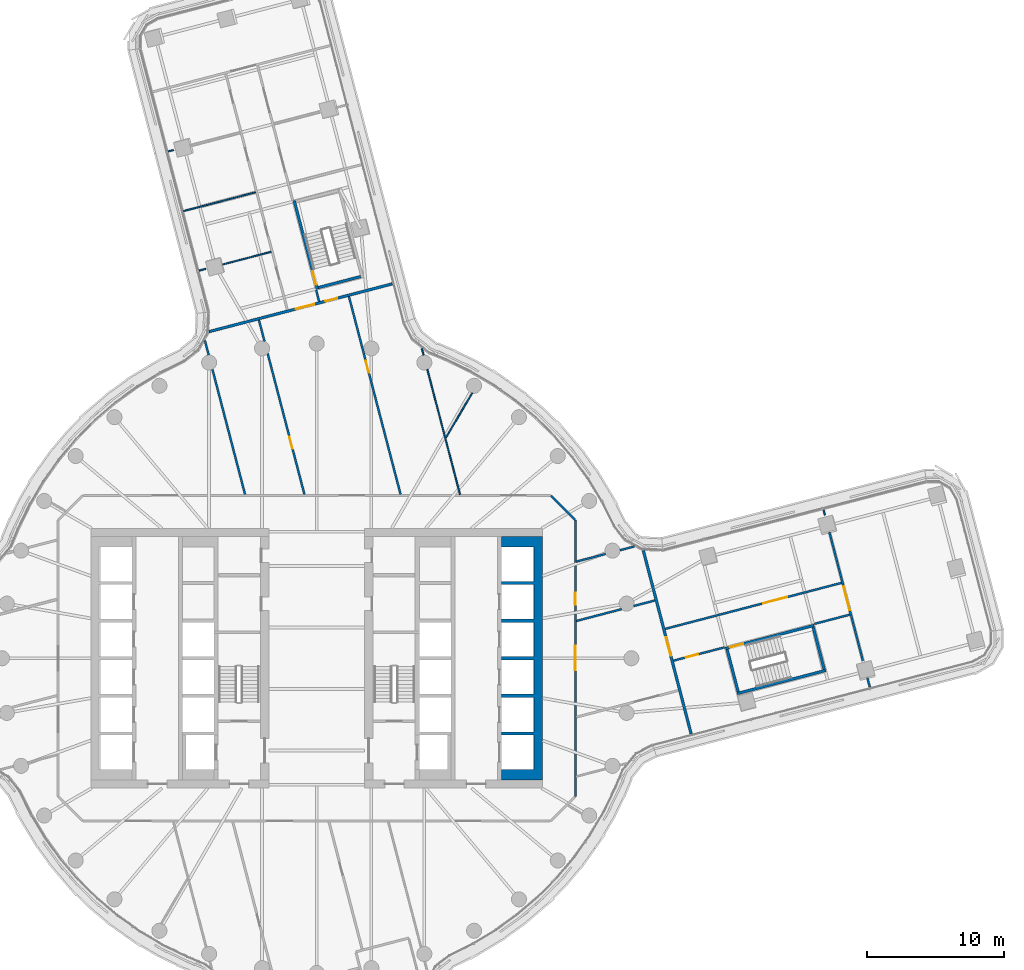
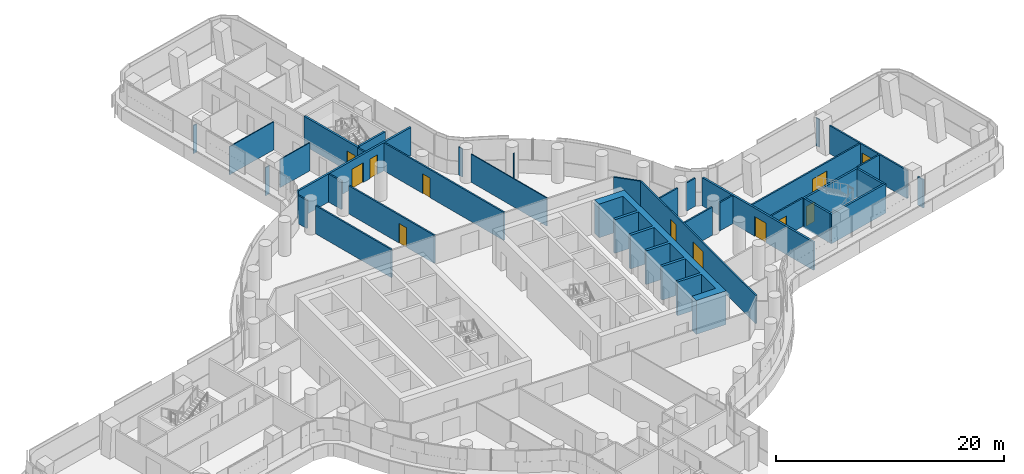
# One storey, part 21 of 30: 34 walls, 12 doors, 12 openings.
"""IFC4 building model written with IfcOpenShell, lengths in metres."""

from ifc_helpers import new_model, si_unit, direction, frame, frame_2d, origin, place, context, subcontext, project, spatial, polyline, rectangle, outline, extrude, material, layer, layer_set, type_object, element, fill, save


model = new_model("IFC4")

# Units and contexts
model_context = context("Model", 3, precision=1e-05, world=origin(), true_north=direction((0.0, 1.0)))
body_context = subcontext(model_context, "Body", "Model", "MODEL_VIEW")
ifc_project = project(units=[si_unit("LENGTHUNIT", "METRE"), si_unit("AREAUNIT", "SQUARE_METRE"), si_unit("VOLUMEUNIT", "CUBIC_METRE"), si_unit("PLANEANGLEUNIT", "RADIAN"), si_unit("MASSUNIT", "GRAM", prefix="KILO")], contexts=[model_context])

# Site, building, storey
site_placement = place(None, origin())
site = spatial("IfcSite", under=ifc_project, at=site_placement, CompositionType="ELEMENT")
building_placement = place(site_placement, origin())
building = spatial("IfcBuilding", under=site, at=building_placement, Name="Tamarind Cross Interchange Tower", CompositionType="ELEMENT")
storey_placement = place(building_placement, frame((0.0, 0.0, 87.25)))
storey = spatial("IfcBuildingStorey", under=building, at=storey_placement, Name="L20", CompositionType="ELEMENT", Elevation=87.25)

# Walls
ifc_material_1 = material(Name="Concrete C70", Category="concrete")
ifc_layer_1 = layer(ifc_material_1, 0.60009765625)
ifc_layer_set_1 = layer_set([ifc_layer_1], Name="Concrete C70")
wall_type_1 = type_object("IfcWallType", Name="Core wall 600 mm Concrete C70", PredefinedType="SHEAR", material=ifc_layer_set_1)
wall_1_placement = place(storey_placement, origin())
element("IfcWall", 1, at=wall_1_placement, inside=storey, type_object=wall_type_1, Name="Core wall CWL-L20-E-A", PredefinedType="SHEAR", context=body_context, shape_type="SweptSolid", body=[
    extrude(outline(polyline([(13.5, -8.89990234375), (15.89990234375, -8.89990234375), (16.5, -8.89990234375), (16.5, 8.89990234375), (15.89990234375, 8.89990234375), (13.5, 8.89990234375), (13.5, 8.125), (15.89990234375, 8.125), (15.89990234375, 5.625), (13.5, 5.625), (13.5, 5.375), (15.89990234375, 5.375), (15.89990234375, 2.875), (13.5, 2.875), (13.5, 2.625), (15.89990234375, 2.625), (15.89990234375, 0.125), (13.5, 0.125), (13.5, -0.125), (15.89990234375, -0.125), (15.89990234375, -2.625), (13.5, -2.625), (13.5, -2.875), (15.89990234375, -2.875), (15.89990234375, -5.375), (13.5, -5.375), (13.5, -5.625), (15.89990234375, -5.625), (15.89990234375, -8.125), (13.5, -8.125), (13.5, -8.89990234375)])), origin(), (0.0, 0.0, 1.0), 3.610107421875),
])
ifc_material_2 = material(Name="Gypsum board partition on steel studs", Category="steel")
ifc_layer_2 = layer(ifc_material_2, 0.10009765625)
ifc_layer_set_2 = layer_set([ifc_layer_2], Name="Gypsum board partition on steel studs")
wall_type_2 = type_object("IfcWallType", Name="Partition 100 mm EI 90", PredefinedType="PARTITIONING", material=ifc_layer_set_2)
wall_2_placement = place(storey_placement, frame((7.688232421875, 22.637939453125, 0.0), z_axis=(0.0, 0.0, 1.0), x_axis=(0.252843213146, -0.967507265898, 0.0)))
element("IfcWall", 2, at=wall_2_placement, inside=storey, type_object=wall_type_2, Name="Partition L20-025", PredefinedType="PARTITIONING", context=body_context, shape_type="SweptSolid", body=[
    extrude(rectangle(XDim=0.495361328125, YDim=0.10009765625, at=frame_2d((0.24755859375, 0.0))), origin(), (0.0, 0.0, 1.0), 3.010009765625),
])
wall_3_placement = place(storey_placement, frame((8.086669921875, 21.11181640625, 0.0), z_axis=(0.0, 0.0, 1.0), x_axis=(0.252552298943, -0.967583245152, 0.0)))
element("IfcWall", 3, at=wall_3_placement, inside=storey, type_object=wall_type_2, Name="Partition L20-026", PredefinedType="PARTITIONING", context=body_context, shape_type="SweptSolid", body=[
    extrude(rectangle(XDim=9.450439453125, YDim=0.10009765625, at=frame_2d((4.72509765625, 0.0))), origin(), (0.0, 0.0, 1.0), 3.010009765625),
])
for number, where, z_axis, x_axis, name in (
    (4, (37.045166015625, 10.860595703125, 0.0), (0.0, 0.0, 1.0), (0.25232360321, -0.967642908961, 0.0), "Partition L20-028"),
    (5, (-10.860595703125, 37.045166015625, 0.0), (0.0, 0.0, 1.0), (0.967642908961, 0.25232360321, 0.0), "Partition L20-048"),
):
    element("IfcWall", number, at=place(storey_placement, frame(where, z_axis=z_axis, x_axis=x_axis)), inside=storey, type_object=wall_type_2, Name=name, PredefinedType="PARTITIONING", context=body_context, shape_type="SweptSolid", body=[
        extrude(rectangle(XDim=0.404541015625, YDim=0.10009765625, at=frame_2d((0.2021484375, 0.0))), origin(), (0.0, 0.0, 1.0), 3.010009765625),
    ])
wall_4_placement = place(storey_placement, frame((-9.729736328125, 32.689208984375, 0.0), z_axis=(0.0, 0.0, 1.0), x_axis=(0.967591509926, 0.252520632662, 0.0)))
element("IfcWall", 6, at=wall_4_placement, inside=storey, type_object=wall_type_2, Name="Partition L20-052", PredefinedType="PARTITIONING", context=body_context, shape_type="SweptSolid", body=[
    extrude(rectangle(XDim=5.435546875, YDim=0.10009765625, at=frame_2d((2.7177734375, 0.0))), origin(), (0.0, 0.0, 1.0), 3.010009765625),
])
wall_5_placement = place(storey_placement, frame((-8.59912109375, 28.334228515625, 0.0), z_axis=(0.0, 0.0, 1.0), x_axis=(0.967612066757, 0.252441851256, 0.0)))
element("IfcWall", 7, at=wall_5_placement, inside=storey, type_object=wall_type_2, Name="Partition L20-054", PredefinedType="PARTITIONING", context=body_context, shape_type="SweptSolid", body=[
    extrude(rectangle(XDim=0.498046875, YDim=0.10009765625, at=frame_2d((0.2490234375, 0.0))), origin(), (0.0, 0.0, 1.0), 3.010009765625),
])
wall_6_placement = place(storey_placement, frame((-6.86474609375, 28.78662109375, 0.0), z_axis=(0.0, 0.0, 1.0), x_axis=(0.967603769399, 0.25247365297, 0.0)))
element("IfcWall", 8, at=wall_6_placement, inside=storey, type_object=wall_type_2, Name="Partition L20-055", PredefinedType="PARTITIONING", context=body_context, shape_type="SweptSolid", body=[
    extrude(rectangle(XDim=3.6484375, YDim=0.10009765625, at=frame_2d((1.82421875, 0.0))), origin(), (0.0, 0.0, 1.0), 3.010009765625),
])
wall_7_placement = place(storey_placement, frame((9.457275390625, 16.137451171875, 0.0), z_axis=(0.0, 0.0, 1.0), x_axis=(0.505643154542, 0.862742719624, 0.0)))
element("IfcWall", 9, at=wall_7_placement, inside=storey, type_object=wall_type_2, Name="Partition L20-080", PredefinedType="PARTITIONING", context=body_context, shape_type="SweptSolid", body=[
    extrude(rectangle(XDim=3.775146484375, YDim=0.10009765625, at=frame_2d((1.8876953125, 0.0))), origin(), (0.0, 0.0, 1.0), 3.010009765625),
])
ifc_layer_3 = layer(ifc_material_2, 0.14990234375)
ifc_layer_set_3 = layer_set([ifc_layer_3], Name="Gypsum board partition on steel studs")
wall_type_3 = type_object("IfcWallType", Name="Partition 150 mm EI 120", PredefinedType="PARTITIONING", material=ifc_layer_set_3)
wall_8_placement = place(storey_placement, frame((-8.173828125, 23.22412109375, 0.0), z_axis=(0.0, 0.0, 1.0), x_axis=(0.25264882797, -0.967558044628, 0.0)))
element("IfcWall", 10, at=wall_8_placement, inside=storey, type_object=wall_type_3, Name="Partition L20-007", PredefinedType="PARTITIONING", context=body_context, shape_type="SweptSolid", body=[
    extrude(rectangle(XDim=1.0947265625, YDim=0.14990234375, at=frame_2d((0.54736328125, 0.0))), origin(), (0.0, 0.0, 1.0), 3.010009765625),
])
wall_9_placement = place(storey_placement, frame((-7.624267578125, 21.117919921875, 0.0), z_axis=(0.0, 0.0, 1.0), x_axis=(0.252471343735, -0.967604371937, 0.0)))
element("IfcWall", 11, at=wall_9_placement, inside=storey, type_object=wall_type_3, Name="Partition L20-008", PredefinedType="PARTITIONING", context=body_context, shape_type="SweptSolid", body=[
    extrude(rectangle(XDim=9.44677734375, YDim=0.14990234375, at=frame_2d((4.723388671875, 0.0))), origin(), (0.0, 0.0, 1.0), 3.010009765625),
])
wall_10_placement = place(storey_placement, frame((-0.041259765625, 26.908447265625, 0.0), z_axis=(0.0, 0.0, 1.0), x_axis=(0.252549103469, -0.967584079208, 0.0)))
element("IfcWall", 12, at=wall_10_placement, inside=storey, type_object=wall_type_3, Name="Partition L20-012", PredefinedType="PARTITIONING", context=body_context, shape_type="SweptSolid", body=[
    extrude(rectangle(XDim=0.859375, YDim=0.14990234375, at=frame_2d((0.4296875, 0.0))), origin(), (0.0, 0.0, 1.0), 3.010009765625),
])
wall_11_placement = place(storey_placement, frame((-4.223876953125, 24.72119140625, 0.0), z_axis=(0.0, 0.0, 1.0), x_axis=(0.252582358836, -0.967575398615, 0.0)))
element("IfcWall", 13, at=wall_11_placement, inside=storey, type_object=wall_type_3, Name="Partition L20-013", PredefinedType="PARTITIONING", context=body_context, shape_type="SweptSolid", body=[
    extrude(rectangle(XDim=1.6103515625, YDim=0.14990234375, at=frame_2d((0.80517578125, 0.0))), origin(), (0.0, 0.0, 1.0), 3.010009765625),
])

# Wall, opening, door
wall_12_placement = place(storey_placement, frame((-3.58935546875, 22.290283203125, 0.0), z_axis=(0.0, 0.0, 1.0), x_axis=(0.252493695857, -0.967598539453, 0.0)))
wall_12 = element("IfcWall", 14, at=wall_12_placement, inside=storey, type_object=wall_type_3, Name="Partition L20-014", PredefinedType="PARTITIONING", context=body_context, shape_type="SweptSolid", body=[
    extrude(rectangle(XDim=10.658447265625, YDim=0.14990234375, at=frame_2d((5.3291015625, 0.0))), origin(), (0.0, 0.0, 1.0), 3.010009765625),
])
opening_1_placement = place(wall_12_placement, frame((6.300048828125, 0.0, 0.0)))
opening_1 = element("IfcOpeningElement", 15, at=opening_1_placement, cuts=wall_12, Name="Opening D10", PredefinedType="OPENING", context=body_context, shape_type="SweptSolid", body=[
    extrude(rectangle(XDim=0.89990234375, YDim=2.10009765625, at=frame_2d((0.449951171875, 1.050048828125))), frame((0.0, 0.0849609375, 0.0), z_axis=(0.0, -1.0, 0.0), x_axis=(1.0, 0.0, 0.0)), (0.0, 0.0, 1.0), 0.169921875),
])
ifc_material_3 = material(Name="Fire-resisting door set")
door_type_1 = type_object("IfcDoorType", Name="Interior door 900 x 2100 FD60S", OperationType="SINGLE_SWING_LEFT", PredefinedType="DOOR", material=ifc_material_3)
door_1_placement = place(opening_1_placement, frame((0.89990234375, 0.0, 0.0), z_axis=(0.0, 0.0, 1.0), x_axis=(-1.0, 0.0, 0.0)))
door_1 = element("IfcDoor", 16, at=door_1_placement, inside=storey, type_object=door_type_1, Name="Door D10", OperationType="SINGLE_SWING_RIGHT", OverallHeight=2.10009765625, OverallWidth=0.89990234375, PredefinedType="DOOR", context=body_context, shape_type="SweptSolid", body=[
    extrude(rectangle(XDim=0.89990234375, YDim=2.10009765625, at=frame_2d((0.449951171875, 1.050048828125))), frame((0.0, 0.02490234375, 0.0), z_axis=(0.0, -1.0, 0.0), x_axis=(1.0, 0.0, 0.0)), (0.0, 0.0, 1.0), 0.050048828125),
])
fill(opening_1, door_1)

wall_13_placement = place(storey_placement, frame((2.3564453125, 26.433349609375, 0.0), z_axis=(0.0, 0.0, 1.0), x_axis=(0.252565578954, -0.967579778792, 0.0)))
wall_13 = element("IfcWall", 17, at=wall_13_placement, inside=storey, type_object=wall_type_3, Name="Partition L20-020", PredefinedType="PARTITIONING", context=body_context, shape_type="SweptSolid", body=[
    extrude(rectangle(XDim=14.9404296875, YDim=0.14990234375, at=frame_2d((7.47021484375, 0.0))), origin(), (0.0, 0.0, 1.0), 3.010009765625),
])
opening_2_placement = place(wall_13_placement, frame((4.844970703125, 0.0, 0.0)))
opening_2 = element("IfcOpeningElement", 18, at=opening_2_placement, cuts=wall_13, Name="Opening D17", PredefinedType="OPENING", context=body_context, shape_type="SweptSolid", body=[
    extrude(rectangle(XDim=0.89990234375, YDim=2.10009765625, at=frame_2d((0.449951171875, 1.050048828125))), frame((0.0, 0.0849609375, 0.0), z_axis=(0.0, -1.0, 0.0), x_axis=(1.0, 0.0, 0.0)), (0.0, 0.0, 1.0), 0.169921875),
])
door_2_placement = place(opening_2_placement, origin())
door_2 = element("IfcDoor", 19, at=door_2_placement, inside=storey, type_object=door_type_1, Name="Door D17", OperationType="SINGLE_SWING_RIGHT", OverallHeight=2.10009765625, OverallWidth=0.89990234375, PredefinedType="DOOR", context=body_context, shape_type="SweptSolid", body=[
    extrude(rectangle(XDim=0.89990234375, YDim=2.10009765625, at=frame_2d((0.449951171875, 1.050048828125))), frame((0.0, 0.02490234375, 0.0), z_axis=(0.0, -1.0, 0.0), x_axis=(1.0, 0.0, 0.0)), (0.0, 0.0, 1.0), 0.050048828125),
])
fill(opening_2, door_2)

wall_14_placement = place(storey_placement, frame((37.47412109375, 9.216796875, 0.0), z_axis=(0.0, 0.0, 1.0), x_axis=(0.252454665167, -0.967608723625, 0.0)))
wall_14 = element("IfcWall", 20, at=wall_14_placement, inside=storey, type_object=wall_type_3, Name="Partition L20-029", PredefinedType="PARTITIONING", context=body_context, shape_type="SweptSolid", body=[
    extrude(rectangle(XDim=9.70556640625, YDim=0.14990234375, at=frame_2d((4.852783203125, 0.0))), origin(), (0.0, 0.0, 1.0), 3.010009765625),
])
opening_3_placement = place(wall_14_placement, frame((4.110107421875, 0.0, 0.0)))
opening_3 = element("IfcOpeningElement", 21, at=opening_3_placement, cuts=wall_14, Name="Opening D19", PredefinedType="OPENING", context=body_context, shape_type="SweptSolid", body=[
    extrude(rectangle(XDim=1.800048828125, YDim=2.10009765625, at=frame_2d((0.89990234375, 1.050048828125))), frame((0.0, 0.0849609375, 0.0), z_axis=(0.0, -1.0, 0.0), x_axis=(1.0, 0.0, 0.0)), (0.0, 0.0, 1.0), 0.169921875),
])
door_type_2 = type_object("IfcDoorType", Name="Interior door 1800 x 2100 FD60S", OperationType="DOUBLE_DOOR_SINGLE_SWING", PredefinedType="DOOR", material=ifc_material_3)
door_3_placement = place(opening_3_placement, frame((1.800048828125, 0.0, 0.0), z_axis=(0.0, 0.0, 1.0), x_axis=(-1.0, 0.0, 0.0)))
door_3 = element("IfcDoor", 22, at=door_3_placement, inside=storey, type_object=door_type_2, Name="Door D19", OperationType="DOUBLE_DOOR_SINGLE_SWING", OverallHeight=2.10009765625, OverallWidth=1.800048828125, PredefinedType="DOOR", context=body_context, shape_type="SweptSolid", body=[
    extrude(rectangle(XDim=1.800048828125, YDim=2.10009765625, at=frame_2d((0.89990234375, 1.050048828125))), frame((0.0, 0.02490234375, 0.0), z_axis=(0.0, -1.0, 0.0), x_axis=(1.0, 0.0, 0.0)), (0.0, 0.0, 1.0), 0.050048828125),
])
fill(opening_3, door_3)

# Walls
wall_15_placement = place(storey_placement, frame((40.251220703125, -1.426513671875, 0.0), z_axis=(0.0, 0.0, 1.0), x_axis=(0.25247790687, -0.967602659433, 0.0)))
element("IfcWall", 23, at=wall_15_placement, inside=storey, type_object=wall_type_3, Name="Partition L20-030", PredefinedType="PARTITIONING", context=body_context, shape_type="SweptSolid", body=[
    extrude(rectangle(XDim=0.709716796875, YDim=0.14990234375, at=frame_2d((0.35498046875, 0.0))), origin(), (0.0, 0.0, 1.0), 3.010009765625),
])
wall_16_placement = place(storey_placement, frame((17.12841796875, 11.87158203125, 0.0), z_axis=(0.0, 0.0, 1.0), x_axis=(0.707106781187, -0.707106781187, 0.0)))
element("IfcWall", 24, at=wall_16_placement, inside=storey, type_object=wall_type_3, Name="Partition L20-032", PredefinedType="PARTITIONING", context=body_context, shape_type="SweptSolid", body=[
    extrude(rectangle(XDim=2.465087890625, YDim=0.14990234375, at=frame_2d((1.232421875, 0.0))), origin(), (0.0, 0.0, 1.0), 3.010009765625),
])
wall_17_placement = place(storey_placement, frame((18.977294921875, 2.72509765625, 0.0), z_axis=(0.0, 0.0, 1.0), x_axis=(0.967595308008, 0.252506078978, 0.0)))
element("IfcWall", 25, at=wall_17_placement, inside=storey, type_object=wall_type_3, Name="Partition L20-068", PredefinedType="PARTITIONING", context=body_context, shape_type="SweptSolid", body=[
    extrude(rectangle(XDim=3.423583984375, YDim=0.14990234375, at=frame_2d((1.7119140625, 0.0))), origin(), (0.0, 0.0, 1.0), 3.010009765625),
])
wall_18_placement = place(storey_placement, frame((23.163330078125, 3.8173828125, 0.0), z_axis=(0.0, 0.0, 1.0), x_axis=(0.967602777956, 0.25247745264, 0.0)))
element("IfcWall", 26, at=wall_18_placement, inside=storey, type_object=wall_type_3, Name="Partition L20-069", PredefinedType="PARTITIONING", context=body_context, shape_type="SweptSolid", body=[
    extrude(rectangle(XDim=1.610107421875, YDim=0.14990234375, at=frame_2d((0.80517578125, 0.0))), origin(), (0.0, 0.0, 1.0), 3.010009765625),
])
wall_19_placement = place(storey_placement, frame((18.977294921875, 7.066162109375, 0.0), z_axis=(0.0, 0.0, 1.0), x_axis=(0.967625475545, 0.252390449655, 0.0)))
element("IfcWall", 27, at=wall_19_placement, inside=storey, type_object=wall_type_3, Name="Partition L20-070", PredefinedType="PARTITIONING", context=body_context, shape_type="SweptSolid", body=[
    extrude(rectangle(XDim=2.212158203125, YDim=0.14990234375, at=frame_2d((1.10595703125, 0.0))), origin(), (0.0, 0.0, 1.0), 3.010009765625),
])
wall_20_placement = place(storey_placement, frame((22.16455078125, 7.8974609375, 0.0), z_axis=(0.0, 0.0, 1.0), x_axis=(0.967626742391, 0.252385592716, 0.0)))
element("IfcWall", 28, at=wall_20_placement, inside=storey, type_object=wall_type_3, Name="Partition L20-071", PredefinedType="PARTITIONING", context=body_context, shape_type="SweptSolid", body=[
    extrude(rectangle(XDim=1.094970703125, YDim=0.14990234375, at=frame_2d((0.54736328125, 0.0))), origin(), (0.0, 0.0, 1.0), 3.010009765625),
])

# Wall, opening, door
wall_21_placement = place(storey_placement, frame((25.470703125, 2.146240234375, 0.0), z_axis=(0.0, 0.0, 1.0), x_axis=(0.967590415102, 0.252524827695, 0.0)))
wall_21 = element("IfcWall", 29, at=wall_21_placement, inside=storey, type_object=wall_type_3, Name="Partition L20-074", PredefinedType="PARTITIONING", context=body_context, shape_type="SweptSolid", body=[
    extrude(rectangle(XDim=13.324462890625, YDim=0.14990234375, at=frame_2d((6.662109375, 0.0))), origin(), (0.0, 0.0, 1.0), 3.010009765625),
])
opening_4_placement = place(wall_21_placement, frame((7.39990234375, 0.0, 0.0)))
opening_4 = element("IfcOpeningElement", 30, at=opening_4_placement, cuts=wall_21, Name="Opening D37", PredefinedType="OPENING", context=body_context, shape_type="SweptSolid", body=[
    extrude(rectangle(XDim=1.800048828125, YDim=2.10009765625, at=frame_2d((0.89990234375, 1.050048828125))), frame((0.0, 0.0849609375, 0.0), z_axis=(0.0, -1.0, 0.0), x_axis=(1.0, 0.0, 0.0)), (0.0, 0.0, 1.0), 0.169921875),
])
door_4_placement = place(opening_4_placement, origin())
door_4 = element("IfcDoor", 31, at=door_4_placement, inside=storey, type_object=door_type_2, Name="Door D37", OperationType="DOUBLE_DOOR_SINGLE_SWING", OverallHeight=2.10009765625, OverallWidth=1.800048828125, PredefinedType="DOOR", context=body_context, shape_type="SweptSolid", body=[
    extrude(rectangle(XDim=1.800048828125, YDim=2.10009765625, at=frame_2d((0.89990234375, 1.050048828125))), frame((0.0, 0.02490234375, 0.0), z_axis=(0.0, -1.0, 0.0), x_axis=(1.0, 0.0, 0.0)), (0.0, 0.0, 1.0), 0.050048828125),
])
fill(opening_4, door_4)

wall_22_placement = place(storey_placement, frame((26.076904296875, -0.17578125, 0.0), z_axis=(0.0, 0.0, 1.0), x_axis=(0.967609882917, 0.25245022179, 0.0)))
wall_22 = element("IfcWall", 32, at=wall_22_placement, inside=storey, type_object=wall_type_3, Name="Partition L20-075", PredefinedType="PARTITIONING", context=body_context, shape_type="SweptSolid", body=[
    extrude(rectangle(XDim=3.859619140625, YDim=0.14990234375, at=frame_2d((1.9296875, 0.0))), origin(), (0.0, 0.0, 1.0), 3.010009765625),
])
opening_5_placement = place(wall_22_placement, frame((0.949951171875, 0.0, 0.0)))
opening_5 = element("IfcOpeningElement", 33, at=opening_5_placement, cuts=wall_22, Name="Opening D38", PredefinedType="OPENING", context=body_context, shape_type="SweptSolid", body=[
    extrude(rectangle(XDim=0.89990234375, YDim=2.10009765625, at=frame_2d((0.449951171875, 1.050048828125))), frame((0.0, 0.0849609375, 0.0), z_axis=(0.0, -1.0, 0.0), x_axis=(1.0, 0.0, 0.0)), (0.0, 0.0, 1.0), 0.169921875),
])
door_5_placement = place(opening_5_placement, frame((0.89990234375, 0.0, 0.0), z_axis=(0.0, 0.0, 1.0), x_axis=(-1.0, 0.0, 0.0)))
door_5 = element("IfcDoor", 34, at=door_5_placement, inside=storey, type_object=door_type_1, Name="Door D38", OperationType="SINGLE_SWING_LEFT", OverallHeight=2.10009765625, OverallWidth=0.89990234375, PredefinedType="DOOR", context=body_context, shape_type="SweptSolid", body=[
    extrude(rectangle(XDim=0.89990234375, YDim=2.10009765625, at=frame_2d((0.449951171875, 1.050048828125))), frame((0.0, 0.02490234375, 0.0), z_axis=(0.0, -1.0, 0.0), x_axis=(1.0, 0.0, 0.0)), (0.0, 0.0, 1.0), 0.050048828125),
])
fill(opening_5, door_5)

# Wall
wall_23_placement = place(storey_placement, frame((36.371826171875, 2.510009765625, 0.0), z_axis=(0.0, 0.0, 1.0), x_axis=(0.967610499751, 0.252447857529, 0.0)))
element("IfcWall", 35, at=wall_23_placement, inside=storey, type_object=wall_type_3, Name="Partition L20-076", PredefinedType="PARTITIONING", context=body_context, shape_type="SweptSolid", body=[
    extrude(rectangle(XDim=2.679931640625, YDim=0.14990234375, at=frame_2d((1.33984375, 0.0))), origin(), (0.0, 0.0, 1.0), 3.010009765625),
])

# Wall, openings, doors
wall_24_placement = place(storey_placement, frame((18.89990234375, -10.10009765625, 0.0), z_axis=(0.0, 0.0, 1.0), x_axis=(0.0, 1.0, 0.0)))
wall_24 = element("IfcWall", 36, at=wall_24_placement, inside=storey, type_object=wall_type_3, Name="Partition L20-082", PredefinedType="PARTITIONING", context=body_context, shape_type="SweptSolid", body=[
    extrude(rectangle(XDim=20.2001953125, YDim=0.14990234375, at=frame_2d((10.10009765625, 0.0))), origin(), (0.0, 0.0, 1.0), 3.010009765625),
])
opening_6_placement = place(wall_24_placement, frame((9.22705078125, 0.0, 0.0)))
opening_6 = element("IfcOpeningElement", 37, at=opening_6_placement, cuts=wall_24, Name="Opening D41", PredefinedType="OPENING", context=body_context, shape_type="SweptSolid", body=[
    extrude(rectangle(XDim=1.800048828125, YDim=2.10009765625, at=frame_2d((0.89990234375, 1.050048828125))), frame((0.0, 0.0849609375, 0.0), z_axis=(0.0, -1.0, 0.0), x_axis=(1.0, 0.0, 0.0)), (0.0, 0.0, 1.0), 0.169921875),
])
opening_7_placement = place(wall_24_placement, frame((14.0048828125, 0.0, 0.0)))
opening_7 = element("IfcOpeningElement", 38, at=opening_7_placement, cuts=wall_24, Name="Opening D42", PredefinedType="OPENING", context=body_context, shape_type="SweptSolid", body=[
    extrude(rectangle(XDim=0.89990234375, YDim=2.10009765625, at=frame_2d((0.449951171875, 1.050048828125))), frame((0.0, 0.0849609375, 0.0), z_axis=(0.0, -1.0, 0.0), x_axis=(1.0, 0.0, 0.0)), (0.0, 0.0, 1.0), 0.169921875),
])
door_6_placement = place(opening_6_placement, origin())
door_6 = element("IfcDoor", 39, at=door_6_placement, inside=storey, type_object=door_type_2, Name="Door D41", OperationType="DOUBLE_DOOR_SINGLE_SWING", OverallHeight=2.10009765625, OverallWidth=1.800048828125, PredefinedType="DOOR", context=body_context, shape_type="SweptSolid", body=[
    extrude(rectangle(XDim=1.800048828125, YDim=2.10009765625, at=frame_2d((0.89990234375, 1.050048828125))), frame((0.0, 0.02490234375, 0.0), z_axis=(0.0, -1.0, 0.0), x_axis=(1.0, 0.0, 0.0)), (0.0, 0.0, 1.0), 0.050048828125),
])
fill(opening_6, door_6)
door_7_placement = place(opening_7_placement, frame((0.89990234375, 0.0, 0.0), z_axis=(0.0, 0.0, 1.0), x_axis=(-1.0, 0.0, 0.0)))
door_7 = element("IfcDoor", 40, at=door_7_placement, inside=storey, type_object=door_type_1, Name="Door D42", OperationType="SINGLE_SWING_RIGHT", OverallHeight=2.10009765625, OverallWidth=0.89990234375, PredefinedType="DOOR", context=body_context, shape_type="SweptSolid", body=[
    extrude(rectangle(XDim=0.89990234375, YDim=2.10009765625, at=frame_2d((0.449951171875, 1.050048828125))), frame((0.0, 0.02490234375, 0.0), z_axis=(0.0, -1.0, 0.0), x_axis=(1.0, 0.0, 0.0)), (0.0, 0.0, 1.0), 0.050048828125),
])
fill(opening_7, door_7)

# Wall, opening, door
ifc_layer_4 = layer(ifc_material_2, 0.199951171875)
ifc_layer_set_4 = layer_set([ifc_layer_4], Name="Gypsum board partition on steel studs")
wall_type_4 = type_object("IfcWallType", Name="Partition 200 mm EI 180", PredefinedType="PARTITIONING", material=ifc_layer_set_4)
wall_25_placement = place(storey_placement, frame((23.87109375, 7.878173828125, 0.0), z_axis=(0.0, 0.0, 1.0), x_axis=(0.252436249306, -0.967613528242, 0.0)))
wall_25 = element("IfcWall", 41, at=wall_25_placement, inside=storey, type_object=wall_type_4, Name="Partition L20-027", PredefinedType="PARTITIONING", context=body_context, shape_type="SweptSolid", body=[
    extrude(rectangle(XDim=13.849365234375, YDim=0.199951171875, at=frame_2d((6.9248046875, 0.0))), origin(), (0.0, 0.0, 1.0), 3.010009765625),
])
opening_8_placement = place(wall_25_placement, frame((6.550048828125, 0.0, 0.0)))
opening_8 = element("IfcOpeningElement", 42, at=opening_8_placement, cuts=wall_25, Name="Opening D18", PredefinedType="OPENING", context=body_context, shape_type="SweptSolid", body=[
    extrude(rectangle(XDim=1.39990234375, YDim=2.10009765625, at=frame_2d((0.699951171875, 1.050048828125))), frame((0.0, 0.10986328125, 0.0), z_axis=(0.0, -1.0, 0.0), x_axis=(1.0, 0.0, 0.0)), (0.0, 0.0, 1.0), 0.219970703125),
])
door_type_3 = type_object("IfcDoorType", Name="Interior door 1400 x 2100 FD120S", OperationType="DOUBLE_DOOR_SINGLE_SWING", PredefinedType="DOOR", material=ifc_material_3)
door_8_placement = place(opening_8_placement, frame((1.39990234375, 0.0, 0.0), z_axis=(0.0, 0.0, 1.0), x_axis=(-1.0, 0.0, 0.0)))
door_8 = element("IfcDoor", 43, at=door_8_placement, inside=storey, type_object=door_type_3, Name="Door D18", OperationType="DOUBLE_DOOR_SINGLE_SWING", OverallHeight=2.10009765625, OverallWidth=1.39990234375, PredefinedType="DOOR", context=body_context, shape_type="SweptSolid", body=[
    extrude(rectangle(XDim=1.39990234375, YDim=2.10009765625, at=frame_2d((0.699951171875, 1.050048828125))), frame((0.0, 0.02490234375, 0.0), z_axis=(0.0, -1.0, 0.0), x_axis=(1.0, 0.0, 0.0)), (0.0, 0.0, 1.0), 0.050048828125),
])
fill(opening_8, door_8)

# Wall, openings, doors
wall_26_placement = place(storey_placement, frame((-7.878173828125, 23.87109375, 0.0), z_axis=(0.0, 0.0, 1.0), x_axis=(0.967613528242, 0.252436249306, 0.0)))
wall_26 = element("IfcWall", 44, at=wall_26_placement, inside=storey, type_object=wall_type_4, Name="Partition L20-056", PredefinedType="PARTITIONING", context=body_context, shape_type="SweptSolid", body=[
    extrude(rectangle(XDim=13.849365234375, YDim=0.199951171875, at=frame_2d((6.9248046875, 0.0))), origin(), (0.0, 0.0, 1.0), 3.010009765625),
])
opening_9_placement = place(wall_26_placement, frame((6.550048828125, 0.0, 0.0)))
opening_9 = element("IfcOpeningElement", 45, at=opening_9_placement, cuts=wall_26, Name="Opening D30", PredefinedType="OPENING", context=body_context, shape_type="SweptSolid", body=[
    extrude(rectangle(XDim=1.39990234375, YDim=2.10009765625, at=frame_2d((0.699951171875, 1.050048828125))), frame((0.0, 0.10986328125, 0.0), z_axis=(0.0, -1.0, 0.0), x_axis=(1.0, 0.0, 0.0)), (0.0, 0.0, 1.0), 0.219970703125),
])
opening_10_placement = place(wall_26_placement, frame((8.7998046875, 0.0, 0.0)))
opening_10 = element("IfcOpeningElement", 46, at=opening_10_placement, cuts=wall_26, Name="Opening D31", PredefinedType="OPENING", context=body_context, shape_type="SweptSolid", body=[
    extrude(rectangle(XDim=0.89990234375, YDim=2.10009765625, at=frame_2d((0.449951171875, 1.050048828125))), frame((0.0, 0.10986328125, 0.0), z_axis=(0.0, -1.0, 0.0), x_axis=(1.0, 0.0, 0.0)), (0.0, 0.0, 1.0), 0.219970703125),
])
door_9_placement = place(opening_9_placement, frame((1.39990234375, 0.0, 0.0), z_axis=(0.0, 0.0, 1.0), x_axis=(-1.0, 0.0, 0.0)))
door_9 = element("IfcDoor", 47, at=door_9_placement, inside=storey, type_object=door_type_3, Name="Door D30", OperationType="DOUBLE_DOOR_SINGLE_SWING", OverallHeight=2.10009765625, OverallWidth=1.39990234375, PredefinedType="DOOR", context=body_context, shape_type="SweptSolid", body=[
    extrude(rectangle(XDim=1.39990234375, YDim=2.10009765625, at=frame_2d((0.699951171875, 1.050048828125))), frame((0.0, 0.02490234375, 0.0), z_axis=(0.0, -1.0, 0.0), x_axis=(1.0, 0.0, 0.0)), (0.0, 0.0, 1.0), 0.050048828125),
])
fill(opening_9, door_9)
door_type_4 = type_object("IfcDoorType", Name="Interior door 900 x 2100 FD120S", OperationType="SINGLE_SWING_LEFT", PredefinedType="DOOR", material=ifc_material_3)
door_10_placement = place(opening_10_placement, origin())
door_10 = element("IfcDoor", 48, at=door_10_placement, inside=storey, type_object=door_type_4, Name="Door D31", OperationType="SINGLE_SWING_LEFT", OverallHeight=2.10009765625, OverallWidth=0.89990234375, PredefinedType="DOOR", context=body_context, shape_type="SweptSolid", body=[
    extrude(rectangle(XDim=0.89990234375, YDim=2.10009765625, at=frame_2d((0.449951171875, 1.050048828125))), frame((0.0, 0.02490234375, 0.0), z_axis=(0.0, -1.0, 0.0), x_axis=(1.0, 0.0, 0.0)), (0.0, 0.0, 1.0), 0.050048828125),
])
fill(opening_10, door_10)

# Wall, opening, door
ifc_material_4 = material(Name="Concrete C40", Category="concrete")
ifc_layer_5 = layer(ifc_material_4, 0.199951171875)
ifc_layer_set_5 = layer_set([ifc_layer_5], Name="Concrete C40")
wall_type_5 = type_object("IfcWallType", Name="Stair shaft wall 200 mm Concrete C40", PredefinedType="SHEAR", material=ifc_layer_set_5)
wall_27_placement = place(storey_placement, frame((29.87548828125, 0.7119140625, -0.139892578125), z_axis=(0.0, 0.0, 1.0), x_axis=(0.967591728147, 0.252519796493, 0.0)))
wall_27 = element("IfcWall", 49, at=wall_27_placement, inside=storey, type_object=wall_type_5, Name="Core wall CWL-L20-ST3-H", PredefinedType="SHEAR", context=body_context, shape_type="SweptSolid", body=[
    extrude(rectangle(XDim=6.699951171875, YDim=0.199951171875, at=frame_2d((3.35009765625, 0.0))), origin(), (0.0, 0.0, 1.0), 3.14990234375),
])
opening_11_placement = place(wall_27_placement, frame((0.35009765625, 0.0, 0.0)))
opening_11 = element("IfcOpeningElement", 50, at=opening_11_placement, cuts=wall_27, Name="Opening ST3L20", PredefinedType="OPENING", context=body_context, shape_type="SweptSolid", body=[
    extrude(rectangle(XDim=1.0, YDim=2.10009765625, at=frame_2d((0.5, 1.050048828125))), frame((0.0, 0.10986328125, 0.0), z_axis=(0.0, -1.0, 0.0), x_axis=(1.0, 0.0, 0.0)), (0.0, 0.0, 1.0), 0.219970703125),
])
ifc_material_5 = material(Name="Steel, fire-resisting", Category="steel")
door_type_5 = type_object("IfcDoorType", Name="Core fire door 1000 x 2100 FD90", OperationType="SINGLE_SWING_LEFT", PredefinedType="DOOR", material=ifc_material_5)
door_11_placement = place(opening_11_placement, origin())
door_11 = element("IfcDoor", 51, at=door_11_placement, inside=storey, type_object=door_type_5, Name="L20 stair door ST3", OperationType="SINGLE_SWING_LEFT", OverallHeight=2.10009765625, OverallWidth=1.0, PredefinedType="DOOR", context=body_context, shape_type="SweptSolid", body=[
    extrude(rectangle(XDim=1.0, YDim=2.10009765625, at=frame_2d((0.5, 1.050048828125))), frame((0.0, 0.02490234375, 0.0), z_axis=(0.0, -1.0, 0.0), x_axis=(1.0, 0.0, 0.0)), (0.0, 0.0, 1.0), 0.050048828125),
])
fill(opening_11, door_11)

# Walls
wall_28_placement = place(storey_placement, frame((30.734130859375, -2.577880859375, -0.139892578125), z_axis=(0.0, 0.0, 1.0), x_axis=(0.967589404469, 0.25252870007, 0.0)))
element("IfcWall", 52, at=wall_28_placement, inside=storey, type_object=wall_type_5, Name="Core wall CWL-L20-ST3-C", PredefinedType="SHEAR", context=body_context, shape_type="SweptSolid", body=[
    extrude(rectangle(XDim=6.69970703125, YDim=0.199951171875, at=frame_2d((3.349853515625, 0.0))), origin(), (0.0, 0.0, 1.0), 3.14990234375),
])
wall_29_placement = place(storey_placement, frame((30.8056640625, -2.455810546875, -0.139892578125), z_axis=(0.0, 0.0, 1.0), x_axis=(-0.252539917828, 0.967586476706, 0.0)))
element("IfcWall", 53, at=wall_29_placement, inside=storey, type_object=wall_type_5, Name="Core wall CWL-L20-ST3-CE", PredefinedType="SHEAR", context=body_context, shape_type="SweptSolid", body=[
    extrude(rectangle(XDim=3.199951171875, YDim=0.199951171875, at=frame_2d((1.60009765625, 0.0))), origin(), (0.0, 0.0, 1.0), 3.14990234375),
])
wall_30_placement = place(storey_placement, frame((0.0, 0.0, -0.139892578125)))
element("IfcWall", 54, at=wall_30_placement, inside=storey, type_object=wall_type_5, Name="Core wall CWL-L20-ST3-CF", PredefinedType="SHEAR", context=body_context, shape_type="SweptSolid", body=[
    extrude(outline(polyline([(36.998291015625, -0.83984375), (37.191650390625, -0.789306640625), (36.383544921875, 2.306884765625), (36.190185546875, 2.256591796875), (36.998291015625, -0.83984375)])), origin(), (0.0, 0.0, 1.0), 3.14990234375),
])

# Wall, opening, door
wall_31_placement = place(storey_placement, frame((0.045654296875, 26.97265625, -0.139892578125), z_axis=(0.0, 0.0, 1.0), x_axis=(-0.252519796493, 0.967591728147, 0.0)))
wall_31 = element("IfcWall", 55, at=wall_31_placement, inside=storey, type_object=wall_type_5, Name="Core wall CWL-L20-ST4-H", PredefinedType="SHEAR", context=body_context, shape_type="SweptSolid", body=[
    extrude(rectangle(XDim=6.699951171875, YDim=0.199951171875, at=frame_2d((3.35009765625, 0.0))), origin(), (0.0, 0.0, 1.0), 3.14990234375),
])
opening_12_placement = place(wall_31_placement, frame((0.35009765625, 0.0, 0.0)))
opening_12 = element("IfcOpeningElement", 56, at=opening_12_placement, cuts=wall_31, Name="Opening ST4L20", PredefinedType="OPENING", context=body_context, shape_type="SweptSolid", body=[
    extrude(rectangle(XDim=1.0, YDim=2.10009765625, at=frame_2d((0.5, 1.050048828125))), frame((0.0, 0.10986328125, 0.0), z_axis=(0.0, -1.0, 0.0), x_axis=(1.0, 0.0, 0.0)), (0.0, 0.0, 1.0), 0.219970703125),
])
door_12_placement = place(opening_12_placement, origin())
door_12 = element("IfcDoor", 57, at=door_12_placement, inside=storey, type_object=door_type_5, Name="L20 stair door ST4", OperationType="SINGLE_SWING_LEFT", OverallHeight=2.10009765625, OverallWidth=1.0, PredefinedType="DOOR", context=body_context, shape_type="SweptSolid", body=[
    extrude(rectangle(XDim=1.0, YDim=2.10009765625, at=frame_2d((0.5, 1.050048828125))), frame((0.0, 0.02490234375, 0.0), z_axis=(0.0, -1.0, 0.0), x_axis=(1.0, 0.0, 0.0)), (0.0, 0.0, 1.0), 0.050048828125),
])
fill(opening_12, door_12)

# Wall
wall_32_placement = place(storey_placement, frame((3.21337890625, 27.90283203125, -0.139892578125), z_axis=(0.0, 0.0, 1.0), x_axis=(-0.967586476706, -0.252539917828, 0.0)))
element("IfcWall", 58, at=wall_32_placement, inside=storey, type_object=wall_type_5, Name="Core wall CWL-L20-ST4-CE", PredefinedType="SHEAR", context=body_context, shape_type="SweptSolid", body=[
    extrude(rectangle(XDim=3.199951171875, YDim=0.199951171875, at=frame_2d((1.60009765625, 0.0))), origin(), (0.0, 0.0, 1.0), 3.14990234375),
])

save(model, "model.ifc")
